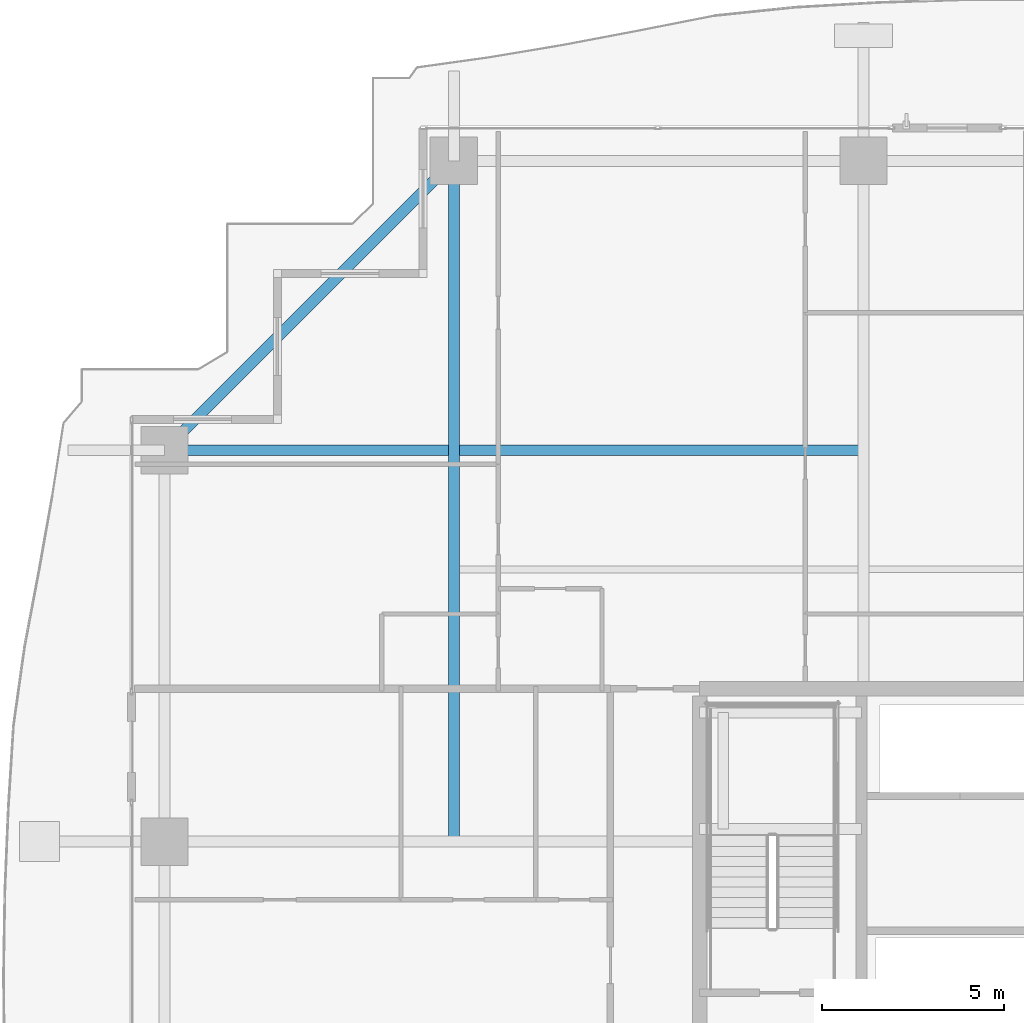
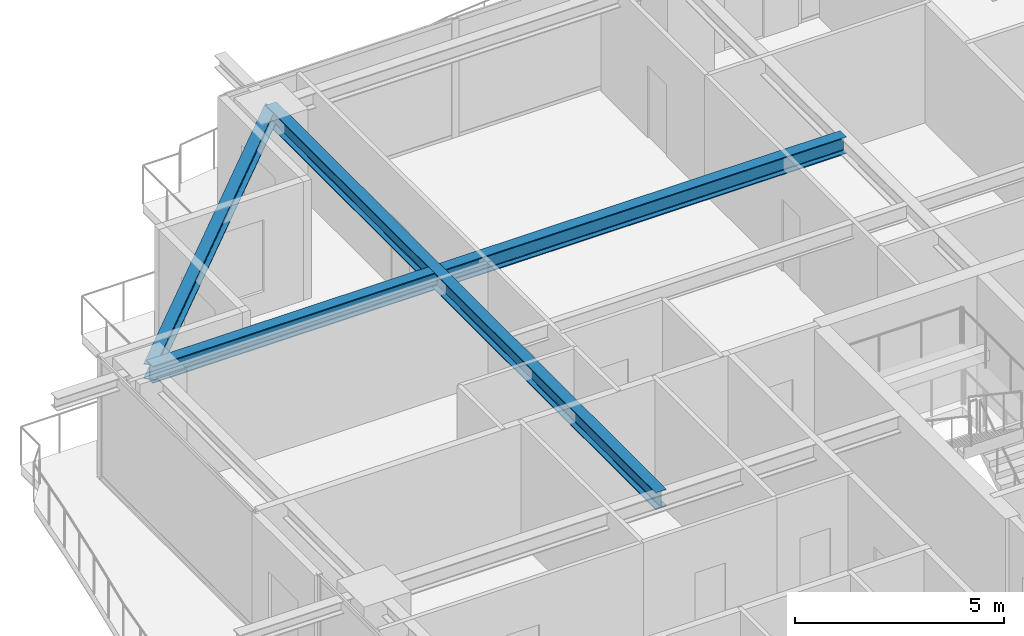
# One storey, part 17 of 39: 3 beams.
"""IFC4 building model written with IfcOpenShell, lengths in metres."""

import ifcopenshell
import ifcopenshell.guid

model = None  # the IFC model being written
_history = None  # IfcOwnerHistory: only IFC2X3 demands one
_inside = {}  # id of a spatial element -> (the spatial element, [elements in it])
_under = {}  # id of a project, library or spatial element -> (it, [spatial elements below it])
_declared = {}  # id of a project -> (the project, [libraries it declares])
_typed = {}  # id of a type object -> (the type object, [elements of that type])
_made_of = {}  # id of a material, layer set ... -> (it, [elements and type objects made of it])


def new_model(schema):
    """Start an empty IFC model of exactly this schema.

    Asked for "IFC4X3", IfcOpenShell would pick the latest addendum, in which some entities
    have other attributes; the version numbers below select the first issue.
    IFC2X3 requires an IfcOwnerHistory on every rooted entity: one is made here for all.
    """
    global model, _history
    if schema == "IFC4X3":
        model = ifcopenshell.file(schema_version=(4, 3, 0, 0))
    else:
        model = ifcopenshell.file(schema=schema)
    _inside.clear()
    _under.clear()
    _declared.clear()
    _typed.clear()
    _made_of.clear()
    _history = None
    if model.schema == "IFC2X3":
        org = make("IfcOrganization", Name="unknown")
        user = make(
            "IfcPersonAndOrganization",
            ThePerson=make("IfcPerson", FamilyName="unknown"),
            TheOrganization=org,
        )
        app = make(
            "IfcApplication",
            ApplicationDeveloper=org,
            Version="unknown",
            ApplicationFullName="unknown",
            ApplicationIdentifier="unknown",
        )
        _history = make(
            "IfcOwnerHistory",
            OwningUser=user,
            OwningApplication=app,
            ChangeAction="ADDED",
            CreationDate=0,
        )
    return model


def make(cls, **values):
    """One entity of the class cls with the attributes given. An attribute that is None is left unset."""
    return model.create_entity(
        cls, **{name: value for name, value in values.items() if value is not None}
    )


def rooted(cls, **values):
    """An entity with a GlobalId (a new one), such as an element, a storey or a relation."""
    return make(cls, GlobalId=ifcopenshell.guid.new(), OwnerHistory=_history, **values)


def si_unit(unit_type, name, prefix=None):
    """IfcSIUnit, for example si_unit("LENGTHUNIT", "METRE", prefix="MILLI")."""
    return make("IfcSIUnit", UnitType=unit_type, Prefix=prefix, Name=name)


def assignment(units):
    """IfcUnitAssignment: the units of a project."""
    return None if units is None else make("IfcUnitAssignment", Units=units)


def point(xyz):
    """IfcCartesianPoint."""
    return None if xyz is None else make("IfcCartesianPoint", Coordinates=xyz)


def direction(xyz):
    """IfcDirection."""
    return None if xyz is None else make("IfcDirection", DirectionRatios=xyz)


def frame(location, z_axis=None, x_axis=None):
    """IfcAxis2Placement3D, a coordinate frame: its origin and axes. An axis left out is left unset."""
    return make(
        "IfcAxis2Placement3D",
        Location=point(location),
        Axis=direction(z_axis),
        RefDirection=direction(x_axis),
    )


def frame_2d(location, x_axis=None):
    """IfcAxis2Placement2D, a coordinate frame in the plane: its origin and x axis."""
    return make(
        "IfcAxis2Placement2D", Location=point(location), RefDirection=direction(x_axis)
    )


def origin():
    """The frame at (0, 0, 0) with its axes left unset."""
    return frame((0.0, 0.0, 0.0))


def origin_2d():
    """The frame at (0, 0) in the plane with its x axis left unset."""
    return frame_2d((0.0, 0.0))


def place(relative_to, where):
    """IfcLocalPlacement: puts the frame where relative to a parent placement (None: the world)."""
    return make(
        "IfcLocalPlacement", PlacementRelTo=relative_to, RelativePlacement=where
    )


def context(
    kind, dimensions, precision=None, world=None, true_north=None, identifier=None
):
    """IfcGeometricRepresentationContext, for example the 3D "Model" context."""
    return make(
        "IfcGeometricRepresentationContext",
        ContextIdentifier=identifier,
        ContextType=kind,
        CoordinateSpaceDimension=dimensions,
        Precision=precision,
        WorldCoordinateSystem=world,
        TrueNorth=true_north,
    )


def subcontext(parent, identifier, kind, view, scale=None):
    """IfcGeometricRepresentationSubContext, for example "Body" below "Model"."""
    return make(
        "IfcGeometricRepresentationSubContext",
        ContextIdentifier=identifier,
        ContextType=kind,
        ParentContext=parent,
        TargetScale=scale,
        TargetView=view,
    )


def project(units=None, contexts=None):
    """IfcProject with its units and contexts."""
    return rooted(
        "IfcProject",
        Name="project",
        RepresentationContexts=contexts,
        UnitsInContext=assignment(units),
    )


def spatial(cls, under=None, at=None, **own):
    """A site, building, storey or space (cls), placed at a placement, below another one or the project."""
    s = rooted(cls, ObjectPlacement=at, **own)
    if under is not None:
        _under.setdefault(under.id(), (under, []))[1].append(s)
    return s


def profile(cls, at=None, kind="AREA", **sizes):
    """A parametric profile (cls). Its sizes go by their IFC names, for example OverallWidth=200.0."""
    return make(cls, ProfileType=kind, Position=at, **sizes)


def i_section(**sizes):
    """IfcIShapeProfileDef."""
    return profile("IfcIShapeProfileDef", **sizes)


def extrude(swept, where, along, depth):
    """IfcExtrudedAreaSolid: the profile swept, set in the frame where, extruded along a direction by depth."""
    return make(
        "IfcExtrudedAreaSolid",
        SweptArea=swept,
        Position=where,
        ExtrudedDirection=direction(along),
        Depth=depth,
    )


def shape(context_of_items, identifier, shape_type, items):
    """IfcShapeRepresentation: the items that make up one representation, for example the "Body"."""
    return make(
        "IfcShapeRepresentation",
        ContextOfItems=context_of_items,
        RepresentationIdentifier=identifier,
        RepresentationType=shape_type,
        Items=items,
    )


def source(mapping_origin, context_of_items, identifier, shape_type, items):
    """IfcRepresentationMap: a shape defined once, which mapped items show again and again."""
    return make(
        "IfcRepresentationMap",
        MappingOrigin=mapping_origin,
        MappedRepresentation=shape(context_of_items, identifier, shape_type, items),
    )


def transform(
    local_origin,
    x_axis=None,
    y_axis=None,
    z_axis=None,
    scale=None,
    scale2=None,
    scale3=None,
    uniform=True,
):
    """IfcCartesianTransformationOperator3D, or its non-uniform kind. x_axis, y_axis, z_axis: its Axis1, 2, 3."""
    if uniform:
        return make(
            "IfcCartesianTransformationOperator3D",
            Axis1=direction(x_axis),
            Axis2=direction(y_axis),
            LocalOrigin=point(local_origin),
            Scale=scale,
            Axis3=direction(z_axis),
        )
    return make(
        "IfcCartesianTransformationOperator3DnonUniform",
        Axis1=direction(x_axis),
        Axis2=direction(y_axis),
        LocalOrigin=point(local_origin),
        Scale=scale,
        Axis3=direction(z_axis),
        Scale2=scale2,
        Scale3=scale3,
    )


def mapped(mapping_source, mapping_target):
    """IfcMappedItem: shows the shape of a source again, moved by a transform."""
    return make(
        "IfcMappedItem", MappingSource=mapping_source, MappingTarget=mapping_target
    )


def material(Name=None, Category=None):
    """IfcMaterial."""
    return make("IfcMaterial", Name=Name, Category=Category)


def material_profile(
    of_material, cross_section, Name=None, Category=None, Priority=None
):
    """IfcMaterialProfile: a cross section and its material."""
    return make(
        "IfcMaterialProfile",
        Name=Name,
        Material=of_material,
        Profile=cross_section,
        Priority=Priority,
        Category=Category,
    )


def profile_set(profiles, Name=None, composite=None):
    """IfcMaterialProfileSet."""
    return make(
        "IfcMaterialProfileSet",
        Name=Name,
        MaterialProfiles=profiles,
        CompositeProfile=composite,
    )


def made_of(thing, what):
    """Note that an element or type object is made of a material, layer set ...; save() writes the relation."""
    if what is not None:
        _made_of.setdefault(what.id(), (what, []))[1].append(thing)
    return thing


def type_object(cls, material=None, **own):
    """A type object (cls), such as IfcWallType, which elements share."""
    return made_of(rooted(cls, **own), material)


def element(
    cls,
    number,
    at=None,
    inside=None,
    cuts=None,
    type_object=None,
    material=None,
    context=None,
    identifier="Body",
    shape_type=None,
    held_by="IfcProductDefinitionShape",
    body=None,
    shapes=None,
    **own,
):
    """One element of the class cls, such as IfcWall. Its Tag is "e" and its number.

    at: its placement. inside: the storey or other place that contains it. cuts: it is an
    opening in that element (IfcRelVoidsElement). A single representation is given by context,
    identifier, shape_type and body (its items); several are given by shapes. held_by: the class
    of the entity that holds the representations. save() writes the other relations.
    """
    e = rooted(cls, Tag="e%d" % number, ObjectPlacement=at, **own)
    if body is not None:
        shapes = [shape(context, identifier, shape_type, body)]
    if shapes is not None:
        e.Representation = make(held_by, Representations=shapes)
    if inside is not None:
        _inside.setdefault(inside.id(), (inside, []))[1].append(e)
    if cuts is not None:
        rooted(
            "IfcRelVoidsElement", RelatingBuildingElement=cuts, RelatedOpeningElement=e
        )
    if type_object is not None:
        _typed.setdefault(type_object.id(), (type_object, []))[1].append(e)
    return made_of(e, material)


def aggregate(whole, parts):
    """IfcRelAggregates: a whole, such as a stair, and the parts it consists of."""
    return rooted("IfcRelAggregates", RelatingObject=whole, RelatedObjects=parts)


def save(model, path):
    """Write the relations noted so far, then the file.

    IfcRelAggregates (storeys below a building ...), IfcRelContainedInSpatialStructure (elements
    in a storey), IfcRelDefinesByType, IfcRelAssociatesMaterial and IfcRelDeclares: one each for
    every whole, place, type object, material and project.
    """
    for whole, parts in _under.values():
        aggregate(whole, parts)
    for where, things in _inside.values():
        rooted(
            "IfcRelContainedInSpatialStructure",
            RelatedElements=things,
            RelatingStructure=where,
        )
    for kind, things in _typed.values():
        rooted("IfcRelDefinesByType", RelatedObjects=things, RelatingType=kind)
    for what, things in _made_of.values():
        rooted("IfcRelAssociatesMaterial", RelatedObjects=things, RelatingMaterial=what)
    for by, libraries in _declared.values():
        rooted("IfcRelDeclares", RelatingContext=by, RelatedDefinitions=libraries)
    model.write(path)


model = new_model("IFC4")

# Units and contexts
model_context = context("Model", 3, precision=1e-05, world=origin(), true_north=direction((0.0, 1.0)))
body_context = subcontext(model_context, "Body", "Model", "MODEL_VIEW")
ifc_project = project(units=[si_unit("LENGTHUNIT", "METRE"), si_unit("AREAUNIT", "SQUARE_METRE"), si_unit("VOLUMEUNIT", "CUBIC_METRE"), si_unit("PLANEANGLEUNIT", "RADIAN"), si_unit("MASSUNIT", "GRAM", prefix="KILO")], contexts=[model_context])

# Site, building, storey
site_placement = place(None, origin())
site = spatial("IfcSite", under=ifc_project, at=site_placement, CompositionType="ELEMENT")
building_placement = place(site_placement, origin())
building = spatial("IfcBuilding", under=site, at=building_placement, Name="Serunith Strait Residences", CompositionType="ELEMENT")
storey_placement = place(building_placement, frame((0.0, 0.0, 123.89990234375)))
storey = spatial("IfcBuildingStorey", under=building, at=storey_placement, Name="L30", CompositionType="ELEMENT", Elevation=123.89990234375)

# Beams
ifc_material = material(Name="Steel S355J2", Category="steel")
ifc_material_profile_1 = material_profile(ifc_material, i_section(OverallWidth=0.300048828125, OverallDepth=0.5, WebThickness=0.014404296875, FlangeThickness=0.028076171875, FilletRadius=0.027099609375, at=origin_2d()), Name="HEB 500")
ifc_profile_set_1 = profile_set([ifc_material_profile_1], Name="Steel S355J2")
beam_type_1 = type_object("IfcBeamType", Name="BM-HEB500", PredefinedType="BEAM", material=ifc_profile_set_1)
shared_shape_1 = source(origin(), body_context, "Body", "SweptSolid", [
    extrude(i_section(OverallWidth=0.300048828125, OverallDepth=0.5, WebThickness=0.014404296875, FlangeThickness=0.028076171875, FilletRadius=0.027099609375, at=origin_2d()), origin(), (0.0, 0.0, 1.0), 18.7001953125),
])
beam_1_placement = place(storey_placement, frame((16.64990234375, 29.39990234375, 3.237060546875), z_axis=(0.0, 1.0, 0.0), x_axis=(-1.0, 0.0, 0.0)))
element("IfcBeam", 1, at=beam_1_placement, inside=storey, type_object=beam_type_1, Name="L30 Orthogonal Corner Girder TC-N1", PredefinedType="BEAM", context=body_context, shape_type="MappedRepresentation", body=[
    mapped(shared_shape_1, transform((0.0, 0.0, 0.0), scale=1.0)),
])
shared_shape_2 = source(origin(), body_context, "Body", "SweptSolid", [
    extrude(i_section(OverallWidth=0.300048828125, OverallDepth=0.5, WebThickness=0.014404296875, FlangeThickness=0.028076171875, FilletRadius=0.027099609375, at=origin_2d()), origin(), (0.0, 0.0, 1.0), 19.199951171875),
])
beam_2_placement = place(storey_placement, frame((27.89990234375, 40.14990234375, 3.237060546875), z_axis=(-1.0, 0.0, 0.0), x_axis=(0.0, -1.0, 0.0)))
element("IfcBeam", 2, at=beam_2_placement, inside=storey, type_object=beam_type_1, Name="L30 Orthogonal Corner Girder TC-W4", PredefinedType="BEAM", context=body_context, shape_type="MappedRepresentation", body=[
    mapped(shared_shape_2, transform((0.0, 0.0, 0.0), scale=1.0)),
])
ifc_material_profile_2 = material_profile(ifc_material, i_section(OverallWidth=0.300048828125, OverallDepth=0.449951171875, WebThickness=0.013916015625, FlangeThickness=0.02587890625, FilletRadius=0.027099609375, at=origin_2d()), Name="HEB 450")
ifc_profile_set_2 = profile_set([ifc_material_profile_2], Name="Steel S355J2")
beam_type_2 = type_object("IfcBeamType", Name="BM-HEB450", PredefinedType="BEAM", material=ifc_profile_set_2)
shared_shape_3 = source(origin(), body_context, "Body", "SweptSolid", [
    extrude(i_section(OverallWidth=0.300048828125, OverallDepth=0.449951171875, WebThickness=0.013916015625, FlangeThickness=0.02587890625, FilletRadius=0.027099609375, at=origin_2d()), origin(), (0.0, 0.0, 1.0), 11.2431640625),
])
beam_3_placement = place(storey_placement, frame((16.64990234375, 48.10009765625, 3.232177734375), z_axis=(-0.707095923751, -0.707117638455, 0.0), x_axis=(0.707117638455, -0.707095923751, 0.0)))
element("IfcBeam", 3, at=beam_3_placement, inside=storey, type_object=beam_type_2, Name="L30 Perimeter Ring Beam 12", PredefinedType="BEAM", context=body_context, shape_type="MappedRepresentation", body=[
    mapped(shared_shape_3, transform((0.0, 0.0, 0.0), scale=1.0)),
])

save(model, "model.ifc")
